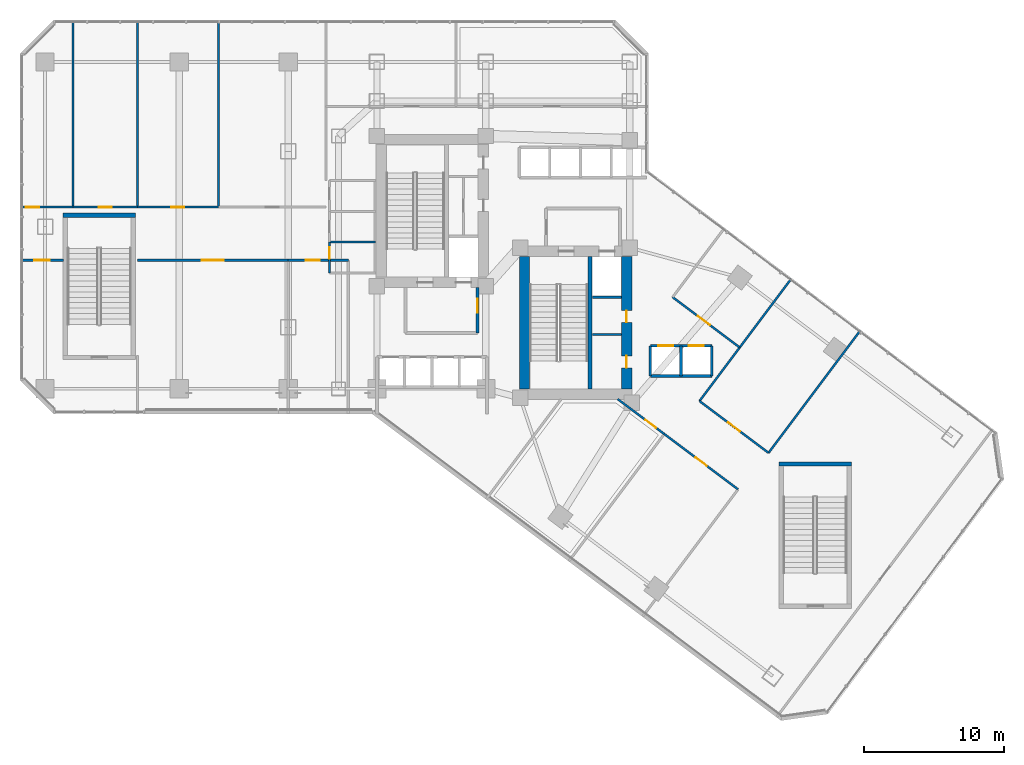
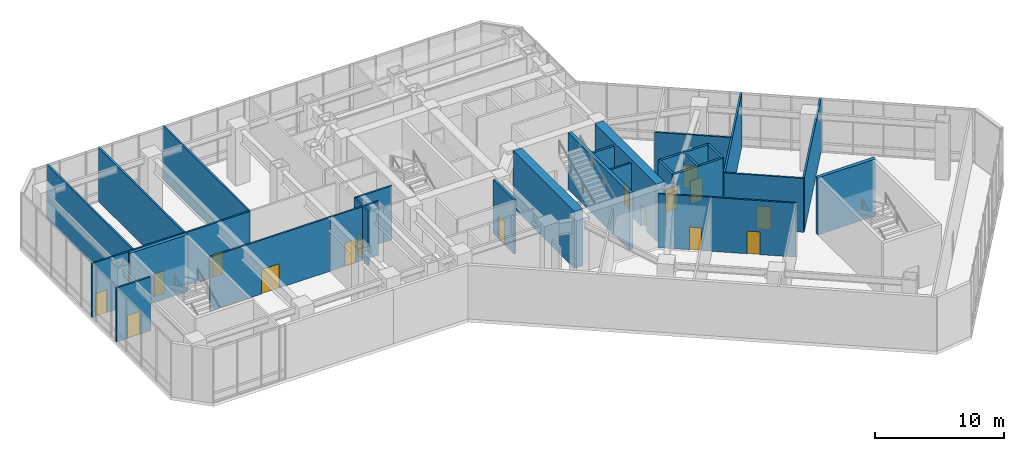
# One storey, part 28 of 35: 30 walls, 16 doors, 16 openings.
"""IFC4 building model written with IfcOpenShell, lengths in metres."""

from ifc_helpers import new_model, si_unit, direction, frame, frame_2d, origin, place, context, subcontext, project, spatial, rectangle, extrude, material, layer, layer_set, type_object, element, fill, save


model = new_model("IFC4")

# Units and contexts
model_context = context("Model", 3, precision=1e-05, world=origin(), true_north=direction((0.0, 1.0)))
body_context = subcontext(model_context, "Body", "Model", "MODEL_VIEW")
ifc_project = project(units=[si_unit("LENGTHUNIT", "METRE"), si_unit("AREAUNIT", "SQUARE_METRE"), si_unit("VOLUMEUNIT", "CUBIC_METRE"), si_unit("PLANEANGLEUNIT", "RADIAN"), si_unit("MASSUNIT", "GRAM", prefix="KILO")], contexts=[model_context])

# Site, building, storey
site_placement = place(None, origin())
site = spatial("IfcSite", under=ifc_project, at=site_placement, CompositionType="ELEMENT")
building_placement = place(site_placement, origin())
building = spatial("IfcBuilding", under=site, at=building_placement, Name="Hatsunagi Terrace Concourse", CompositionType="ELEMENT")
storey_placement = place(building_placement, frame((0.0, 0.0, 16.199951171875)))
storey = spatial("IfcBuildingStorey", under=building, at=storey_placement, Name="L04", CompositionType="ELEMENT", Elevation=16.199951171875)

# Wall
ifc_material_1 = material(Name="Concrete Fc60", Category="concrete")
ifc_layer_1 = layer(ifc_material_1, 0.75)
ifc_layer_set_1 = layer_set([ifc_layer_1], Name="CoreShearWall_Fc60_750")
wall_type_1 = type_object("IfcWallType", Name="CoreShearWall_Fc60_750", PredefinedType="SHEAR", material=ifc_layer_set_1)
wall_1_placement = place(storey_placement, frame((36.114990234375, 25.18994140625, 0.0), z_axis=(0.0, 0.0, 1.0), x_axis=(0.0, 1.0, 0.0)))
element("IfcWall", 1, at=wall_1_placement, inside=storey, type_object=wall_type_1, Name="Core B Shear Wall W L04", PredefinedType="SHEAR", context=body_context, shape_type="SweptSolid", body=[
    extrude(rectangle(XDim=9.47998046875, YDim=0.75, at=frame_2d((4.739990234375, 0.0))), origin(), (0.0, 0.0, 1.0), 5.400146484375),
])

# Wall, openings, doors
wall_2_placement = place(storey_placement, frame((43.425048828125, 25.18994140625, 0.0), z_axis=(0.0, 0.0, 1.0), x_axis=(0.0, 1.0, 0.0)))
wall_2 = element("IfcWall", 2, at=wall_2_placement, inside=storey, type_object=wall_type_1, Name="Core B Shear Wall E L04", PredefinedType="SHEAR", context=body_context, shape_type="SweptSolid", body=[
    extrude(rectangle(XDim=9.47998046875, YDim=0.75, at=frame_2d((4.739990234375, 0.0))), origin(), (0.0, 0.0, 1.0), 5.400146484375),
])
opening_1_placement = place(wall_2_placement, frame((1.510009765625, 0.0, 0.0)))
opening_1 = element("IfcOpeningElement", 3, at=opening_1_placement, cuts=wall_2, Name="Opening DR-085", PredefinedType="OPENING", context=body_context, shape_type="SweptSolid", body=[
    extrude(rectangle(XDim=0.85009765625, YDim=2.080078125, at=frame_2d((0.425048828125, 1.0400390625))), frame((0.0, 0.385009765625, 0.0), z_axis=(0.0, -1.0, 0.0), x_axis=(1.0, 0.0, 0.0)), (0.0, 0.0, 1.0), 0.77001953125),
])
opening_2_placement = place(wall_2_placement, frame((4.760009765625, 0.0, 0.0)))
opening_2 = element("IfcOpeningElement", 4, at=opening_2_placement, cuts=wall_2, Name="Opening DR-085", PredefinedType="OPENING", context=body_context, shape_type="SweptSolid", body=[
    extrude(rectangle(XDim=0.85009765625, YDim=2.080078125, at=frame_2d((0.425048828125, 1.0400390625))), frame((0.0, 0.385009765625, 0.0), z_axis=(0.0, -1.0, 0.0), x_axis=(1.0, 0.0, 0.0)), (0.0, 0.0, 1.0), 0.77001953125),
])
ifc_material_2 = material(Name="Painted steel", Category="steel")
door_type_1 = type_object("IfcDoorType", Name="RiserAccessDoor_EI60_850", OperationType="NOTDEFINED", PredefinedType="DOOR", material=ifc_material_2)
door_1_placement = place(opening_1_placement, origin())
door_1 = element("IfcDoor", 5, at=door_1_placement, inside=storey, type_object=door_type_1, Name="Core B Riser Door L04-1", OperationType="SINGLE_SWING_RIGHT", OverallHeight=2.080078125, OverallWidth=0.85009765625, PredefinedType="DOOR", context=body_context, shape_type="SweptSolid", body=[
    extrude(rectangle(XDim=0.85009765625, YDim=2.080078125, at=frame_2d((0.425048828125, 1.0400390625))), frame((0.0, 0.02490234375, 0.0), z_axis=(0.0, -1.0, 0.0), x_axis=(1.0, 0.0, 0.0)), (0.0, 0.0, 1.0), 0.050048828125),
])
fill(opening_1, door_1)
door_2_placement = place(opening_2_placement, origin())
door_2 = element("IfcDoor", 6, at=door_2_placement, inside=storey, type_object=door_type_1, Name="Core B Riser Door L04-2", OperationType="SINGLE_SWING_RIGHT", OverallHeight=2.080078125, OverallWidth=0.85009765625, PredefinedType="DOOR", context=body_context, shape_type="SweptSolid", body=[
    extrude(rectangle(XDim=0.85009765625, YDim=2.080078125, at=frame_2d((0.425048828125, 1.0400390625))), frame((0.0, 0.02490234375, 0.0), z_axis=(0.0, -1.0, 0.0), x_axis=(1.0, 0.0, 0.0)), (0.0, 0.0, 1.0), 0.050048828125),
])
fill(opening_2, door_2)

# Walls
ifc_material_3 = material(Name="Concrete Fc48", Category="concrete")
ifc_layer_2 = layer(ifc_material_3, 0.300048828125)
ifc_layer_set_2 = layer_set([ifc_layer_2], Name="CoreStairDivider_Fc48_300")
wall_type_2 = type_object("IfcWallType", Name="CoreStairDivider_Fc48_300", PredefinedType="SHEAR", material=ifc_layer_set_2)
wall_3_placement = place(storey_placement, frame((40.81005859375, 25.18994140625, 0.0), z_axis=(0.0, 0.0, 1.0), x_axis=(0.0, 1.0, 0.0)))
element("IfcWall", 7, at=wall_3_placement, inside=storey, type_object=wall_type_2, Name="Core B Shear Wall D L04", PredefinedType="SHEAR", context=body_context, shape_type="SweptSolid", body=[
    extrude(rectangle(XDim=9.47998046875, YDim=0.300048828125, at=frame_2d((4.739990234375, 0.0))), origin(), (0.0, 0.0, 1.0), 5.400146484375),
])
for number, where, z_axis, x_axis, name in (
    (8, (3.090087890625, 37.6201171875, 0.0), (0.0, 0.0, 1.0), (1.0, 0.0, 0.0), "Podium Stair P1 Shear Wall N L04"),
    (9, (54.340087890625, 19.820068359375, 0.0), (0.0, 0.0, 1.0), (1.0, 0.0, 0.0), "Podium Stair P2 Shear Wall N L04"),
):
    element("IfcWall", number, at=place(storey_placement, frame(where, z_axis=z_axis, x_axis=x_axis)), inside=storey, type_object=wall_type_2, Name=name, PredefinedType="SHEAR", context=body_context, shape_type="SweptSolid", body=[
        extrude(rectangle(XDim=5.169921875, YDim=0.300048828125, at=frame_2d((2.5849609375, 0.0))), origin(), (0.0, 0.0, 1.0), 5.400146484375),
    ])
ifc_material_4 = material(Name="Acoustic mineral board", Category="gypsum")
ifc_layer_3 = layer(ifc_material_4, 0.14990234375)
ifc_layer_set_3 = layer_set([ifc_layer_3], Name="PartitionWall_EI60_150")
wall_type_3 = type_object("IfcWallType", Name="PartitionWall_EI60_150", PredefinedType="PARTITIONING", material=ifc_layer_set_3)
wall_4_placement = place(storey_placement, frame((40.969970703125, 29.10009765625, 0.0), z_axis=(0.0, 0.0, 1.0), x_axis=(1.0, 0.0, 0.0)))
element("IfcWall", 10, at=wall_4_placement, inside=storey, type_object=wall_type_3, Name="Interior Partition IW-L04-005", PredefinedType="PARTITIONING", context=body_context, shape_type="SweptSolid", body=[
    extrude(rectangle(XDim=2.080078125, YDim=0.14990234375, at=frame_2d((1.0400390625, 0.0))), origin(), (0.0, 0.0, 1.0), 5.10009765625),
])
wall_5_placement = place(storey_placement, frame((22.14990234375, 35.699951171875, 0.0), z_axis=(0.0, 0.0, 1.0), x_axis=(1.0, 0.0, 0.0)))
element("IfcWall", 11, at=wall_5_placement, inside=storey, type_object=wall_type_3, Name="Interior Partition IW-L04-033", PredefinedType="PARTITIONING", context=body_context, shape_type="SweptSolid", body=[
    extrude(rectangle(XDim=3.300048828125, YDim=0.14990234375, at=frame_2d((1.64990234375, 0.0))), origin(), (0.0, 0.0, 1.0), 5.10009765625),
])

# Wall, opening, door
wall_6_placement = place(storey_placement, frame((22.14990234375, 33.5, 0.0), z_axis=(0.0, 0.0, 1.0), x_axis=(0.0, 1.0, 0.0)))
wall_6 = element("IfcWall", 12, at=wall_6_placement, inside=storey, type_object=wall_type_3, Name="Interior Partition IW-L04-035", PredefinedType="PARTITIONING", context=body_context, shape_type="SweptSolid", body=[
    extrude(rectangle(XDim=2.199951171875, YDim=0.14990234375, at=frame_2d((1.10009765625, 0.0))), origin(), (0.0, 0.0, 1.0), 5.10009765625),
])
opening_3_placement = place(wall_6_placement, frame((1.02001953125, 0.0, 0.0)))
opening_3 = element("IfcOpeningElement", 13, at=opening_3_placement, cuts=wall_6, Name="Opening DR-080", PredefinedType="OPENING", context=body_context, shape_type="SweptSolid", body=[
    extrude(rectangle(XDim=0.800048828125, YDim=2.06005859375, at=frame_2d((0.39990234375, 1.030029296875))), frame((0.0, 0.0849609375, 0.0), z_axis=(0.0, -1.0, 0.0), x_axis=(1.0, 0.0, 0.0)), (0.0, 0.0, 1.0), 0.169921875),
])
ifc_material_5 = material(Name="Hardwood timber", Category="wood")
door_type_2 = type_object("IfcDoorType", Name="BathroomDoor_800", OperationType="NOTDEFINED", PredefinedType="DOOR", material=ifc_material_5)
door_3_placement = place(opening_3_placement, origin())
door_3 = element("IfcDoor", 14, at=door_3_placement, inside=storey, type_object=door_type_2, Name="Accessible WC Door L04", OperationType="SINGLE_SWING_LEFT", OverallHeight=2.06005859375, OverallWidth=0.800048828125, PredefinedType="DOOR", context=body_context, shape_type="SweptSolid", body=[
    extrude(rectangle(XDim=0.800048828125, YDim=2.06005859375, at=frame_2d((0.39990234375, 1.030029296875))), frame((0.0, 0.02490234375, 0.0), z_axis=(0.0, -1.0, 0.0), x_axis=(1.0, 0.0, 0.0)), (0.0, 0.0, 1.0), 0.050048828125),
])
fill(opening_3, door_3)

wall_7_placement = place(storey_placement, frame((0.0400390625, 38.199951171875, 0.0), z_axis=(0.0, 0.0, 1.0), x_axis=(1.0, 0.0, 0.0)))
wall_7 = element("IfcWall", 15, at=wall_7_placement, inside=storey, type_object=wall_type_3, Name="Interior Partition IW-L04-038", PredefinedType="PARTITIONING", context=body_context, shape_type="SweptSolid", body=[
    extrude(rectangle(XDim=3.760009765625, YDim=0.14990234375, at=frame_2d((1.8798828125, 0.0))), origin(), (0.0, 0.0, 1.0), 5.10009765625),
])
opening_4_placement = place(wall_7_placement, frame((0.3798828125, 0.0, 0.0)))
opening_4 = element("IfcOpeningElement", 16, at=opening_4_placement, cuts=wall_7, Name="Opening DR-095", PredefinedType="OPENING", context=body_context, shape_type="SweptSolid", body=[
    extrude(rectangle(XDim=0.949951171875, YDim=2.14990234375, at=frame_2d((0.47509765625, 1.074951171875))), frame((0.0, 0.0849609375, 0.0), z_axis=(0.0, -1.0, 0.0), x_axis=(1.0, 0.0, 0.0)), (0.0, 0.0, 1.0), 0.169921875),
])
ifc_material_6 = material(Name="Hardwood timber", Category="wood")
door_type_3 = type_object("IfcDoorType", Name="InteriorSuiteDoor_EI30_950", OperationType="NOTDEFINED", PredefinedType="DOOR", material=ifc_material_6)
door_4_placement = place(opening_4_placement, origin())
door_4 = element("IfcDoor", 17, at=door_4_placement, inside=storey, type_object=door_type_3, Name="Focus Room L04-P4N1 Door", OperationType="SINGLE_SWING_LEFT", OverallHeight=2.14990234375, OverallWidth=0.949951171875, PredefinedType="DOOR", context=body_context, shape_type="SweptSolid", body=[
    extrude(rectangle(XDim=0.949951171875, YDim=2.14990234375, at=frame_2d((0.47509765625, 1.074951171875))), frame((0.0, 0.02490234375, 0.0), z_axis=(0.0, -1.0, 0.0), x_axis=(1.0, 0.0, 0.0)), (0.0, 0.0, 1.0), 0.050048828125),
])
fill(opening_4, door_4)

# Wall
wall_8_placement = place(storey_placement, frame((3.800048828125, 38.199951171875, 0.0), z_axis=(0.0, 0.0, 1.0), x_axis=(0.0, 1.0, 0.0)))
element("IfcWall", 18, at=wall_8_placement, inside=storey, type_object=wall_type_3, Name="Interior Partition IW-L04-039", PredefinedType="PARTITIONING", context=body_context, shape_type="SweptSolid", body=[
    extrude(rectangle(XDim=13.360107421875, YDim=0.14990234375, at=frame_2d((6.68017578125, 0.0))), origin(), (0.0, 0.0, 1.0), 5.10009765625),
])

# Wall, opening, door
wall_9_placement = place(storey_placement, frame((3.800048828125, 38.199951171875, 0.0), z_axis=(0.0, 0.0, 1.0), x_axis=(1.0, 0.0, 0.0)))
wall_9 = element("IfcWall", 19, at=wall_9_placement, inside=storey, type_object=wall_type_3, Name="Interior Partition IW-L04-040", PredefinedType="PARTITIONING", context=body_context, shape_type="SweptSolid", body=[
    extrude(rectangle(XDim=4.599853515625, YDim=0.14990234375, at=frame_2d((2.2998046875, 0.0))), origin(), (0.0, 0.0, 1.0), 5.10009765625),
])
opening_5_placement = place(wall_9_placement, frame((1.824951171875, 0.0, 0.0)))
opening_5 = element("IfcOpeningElement", 20, at=opening_5_placement, cuts=wall_9, Name="Opening DR-095", PredefinedType="OPENING", context=body_context, shape_type="SweptSolid", body=[
    extrude(rectangle(XDim=0.949951171875, YDim=2.14990234375, at=frame_2d((0.47509765625, 1.074951171875))), frame((0.0, 0.0849609375, 0.0), z_axis=(0.0, -1.0, 0.0), x_axis=(1.0, 0.0, 0.0)), (0.0, 0.0, 1.0), 0.169921875),
])
door_5_placement = place(opening_5_placement, origin())
door_5 = element("IfcDoor", 21, at=door_5_placement, inside=storey, type_object=door_type_3, Name="Meeting Room L04-P4N2 Door", OperationType="SINGLE_SWING_LEFT", OverallHeight=2.14990234375, OverallWidth=0.949951171875, PredefinedType="DOOR", context=body_context, shape_type="SweptSolid", body=[
    extrude(rectangle(XDim=0.949951171875, YDim=2.14990234375, at=frame_2d((0.47509765625, 1.074951171875))), frame((0.0, 0.02490234375, 0.0), z_axis=(0.0, -1.0, 0.0), x_axis=(1.0, 0.0, 0.0)), (0.0, 0.0, 1.0), 0.050048828125),
])
fill(opening_5, door_5)

# Wall
wall_10_placement = place(storey_placement, frame((8.39990234375, 38.199951171875, 0.0), z_axis=(0.0, 0.0, 1.0), x_axis=(0.0, 1.0, 0.0)))
element("IfcWall", 22, at=wall_10_placement, inside=storey, type_object=wall_type_3, Name="Interior Partition IW-L04-041", PredefinedType="PARTITIONING", context=body_context, shape_type="SweptSolid", body=[
    extrude(rectangle(XDim=13.360107421875, YDim=0.14990234375, at=frame_2d((6.68017578125, 0.0))), origin(), (0.0, 0.0, 1.0), 5.10009765625),
])

# Wall, opening, door
wall_11_placement = place(storey_placement, frame((8.39990234375, 38.199951171875, 0.0), z_axis=(0.0, 0.0, 1.0), x_axis=(1.0, 0.0, 0.0)))
wall_11 = element("IfcWall", 23, at=wall_11_placement, inside=storey, type_object=wall_type_3, Name="Interior Partition IW-L04-042", PredefinedType="PARTITIONING", context=body_context, shape_type="SweptSolid", body=[
    extrude(rectangle(XDim=5.800048828125, YDim=0.14990234375, at=frame_2d((2.89990234375, 0.0))), origin(), (0.0, 0.0, 1.0), 5.10009765625),
])
opening_6_placement = place(wall_11_placement, frame((2.425048828125, 0.0, 0.0)))
opening_6 = element("IfcOpeningElement", 24, at=opening_6_placement, cuts=wall_11, Name="Opening DR-095", PredefinedType="OPENING", context=body_context, shape_type="SweptSolid", body=[
    extrude(rectangle(XDim=0.949951171875, YDim=2.14990234375, at=frame_2d((0.47509765625, 1.074951171875))), frame((0.0, 0.0849609375, 0.0), z_axis=(0.0, -1.0, 0.0), x_axis=(1.0, 0.0, 0.0)), (0.0, 0.0, 1.0), 0.169921875),
])
door_6_placement = place(opening_6_placement, origin())
door_6 = element("IfcDoor", 25, at=door_6_placement, inside=storey, type_object=door_type_3, Name="Boardroom L04-P4N3 Door", OperationType="SINGLE_SWING_RIGHT", OverallHeight=2.14990234375, OverallWidth=0.949951171875, PredefinedType="DOOR", context=body_context, shape_type="SweptSolid", body=[
    extrude(rectangle(XDim=0.949951171875, YDim=2.14990234375, at=frame_2d((0.47509765625, 1.074951171875))), frame((0.0, 0.02490234375, 0.0), z_axis=(0.0, -1.0, 0.0), x_axis=(1.0, 0.0, 0.0)), (0.0, 0.0, 1.0), 0.050048828125),
])
fill(opening_6, door_6)

# Wall
wall_12_placement = place(storey_placement, frame((14.199951171875, 38.199951171875, 0.0), z_axis=(0.0, 0.0, 1.0), x_axis=(0.0, 1.0, 0.0)))
element("IfcWall", 26, at=wall_12_placement, inside=storey, type_object=wall_type_3, Name="Interior Partition IW-L04-043", PredefinedType="PARTITIONING", context=body_context, shape_type="SweptSolid", body=[
    extrude(rectangle(XDim=13.360107421875, YDim=0.14990234375, at=frame_2d((6.68017578125, 0.0))), origin(), (0.0, 0.0, 1.0), 5.10009765625),
])

# Wall, opening, door
wall_13_placement = place(storey_placement, frame((0.0400390625, 34.39990234375, 0.0), z_axis=(0.0, 0.0, 1.0), x_axis=(1.0, 0.0, 0.0)))
wall_13 = element("IfcWall", 27, at=wall_13_placement, inside=storey, type_object=wall_type_3, Name="Interior Partition IW-L04-046", PredefinedType="PARTITIONING", context=body_context, shape_type="SweptSolid", body=[
    extrude(rectangle(XDim=3.070068359375, YDim=0.14990234375, at=frame_2d((1.53515625, 0.0))), origin(), (0.0, 0.0, 1.0), 5.10009765625),
])
opening_7_placement = place(wall_13_placement, frame((0.985107421875, 0.0, 0.0)))
opening_7 = element("IfcOpeningElement", 28, at=opening_7_placement, cuts=wall_13, Name="Opening DR-110W", PredefinedType="OPENING", context=body_context, shape_type="SweptSolid", body=[
    extrude(rectangle(XDim=1.10009765625, YDim=2.159912109375, at=frame_2d((0.550048828125, 1.080078125))), frame((0.0, 0.0849609375, 0.0), z_axis=(0.0, -1.0, 0.0), x_axis=(1.0, 0.0, 0.0)), (0.0, 0.0, 1.0), 0.169921875),
])
ifc_material_7 = material(Name="Hardwood timber", Category="wood")
door_type_4 = type_object("IfcDoorType", Name="SuiteWideDoor_EI30_1100", OperationType="NOTDEFINED", PredefinedType="DOOR", material=ifc_material_7)
door_7_placement = place(opening_7_placement, origin())
door_7 = element("IfcDoor", 29, at=door_7_placement, inside=storey, type_object=door_type_4, Name="Private Dining Suite L04-P4WS0 Door", OperationType="SINGLE_SWING_RIGHT", OverallHeight=2.159912109375, OverallWidth=1.10009765625, PredefinedType="DOOR", context=body_context, shape_type="SweptSolid", body=[
    extrude(rectangle(XDim=1.10009765625, YDim=2.159912109375, at=frame_2d((0.550048828125, 1.080078125))), frame((0.0, 0.02490234375, 0.0), z_axis=(0.0, -1.0, 0.0), x_axis=(1.0, 0.0, 0.0)), (0.0, 0.0, 1.0), 0.050048828125),
])
fill(opening_7, door_7)

wall_14_placement = place(storey_placement, frame((8.39990234375, 34.39990234375, 0.0), z_axis=(0.0, 0.0, 1.0), x_axis=(1.0, 0.0, 0.0)))
wall_14 = element("IfcWall", 30, at=wall_14_placement, inside=storey, type_object=wall_type_3, Name="Interior Partition IW-L04-048", PredefinedType="PARTITIONING", context=body_context, shape_type="SweptSolid", body=[
    extrude(rectangle(XDim=10.800048828125, YDim=0.14990234375, at=frame_2d((5.39990234375, 0.0))), origin(), (0.0, 0.0, 1.0), 5.10009765625),
])
opening_8_placement = place(wall_14_placement, frame((4.60009765625, 0.0, 0.0)))
opening_8 = element("IfcOpeningElement", 31, at=opening_8_placement, cuts=wall_14, Name="Opening DR-160", PredefinedType="OPENING", context=body_context, shape_type="SweptSolid", body=[
    extrude(rectangle(XDim=1.60009765625, YDim=2.300048828125, at=frame_2d((0.800048828125, 1.14990234375))), frame((0.0, 0.0849609375, 0.0), z_axis=(0.0, -1.0, 0.0), x_axis=(1.0, 0.0, 0.0)), (0.0, 0.0, 1.0), 0.169921875),
])
ifc_material_8 = material(Name="Hardwood timber", Category="wood")
door_type_5 = type_object("IfcDoorType", Name="ConferenceDoubleDoor_1600", OperationType="DOUBLE_DOOR_SINGLE_SWING", PredefinedType="DOOR", material=ifc_material_8)
door_8_placement = place(opening_8_placement, origin())
door_8 = element("IfcDoor", 32, at=door_8_placement, inside=storey, type_object=door_type_5, Name="Plenary Ballroom L04-P4BNQ2 Door", OperationType="DOUBLE_DOOR_SINGLE_SWING", OverallHeight=2.300048828125, OverallWidth=1.60009765625, PredefinedType="DOOR", context=body_context, shape_type="SweptSolid", body=[
    extrude(rectangle(XDim=1.60009765625, YDim=2.300048828125, at=frame_2d((0.800048828125, 1.14990234375))), frame((0.0, 0.02490234375, 0.0), z_axis=(0.0, -1.0, 0.0), x_axis=(1.0, 0.0, 0.0)), (0.0, 0.0, 1.0), 0.050048828125),
])
fill(opening_8, door_8)

wall_15_placement = place(storey_placement, frame((19.199951171875, 34.39990234375, 0.0), z_axis=(0.0, 0.0, 1.0), x_axis=(1.0, 0.0, 0.0)))
wall_15 = element("IfcWall", 33, at=wall_15_placement, inside=storey, type_object=wall_type_3, Name="Interior Partition IW-L04-050", PredefinedType="PARTITIONING", context=body_context, shape_type="SweptSolid", body=[
    extrude(rectangle(XDim=4.300048828125, YDim=0.14990234375, at=frame_2d((2.14990234375, 0.0))), origin(), (0.0, 0.0, 1.0), 5.10009765625),
])
opening_9_placement = place(wall_15_placement, frame((1.26904296875, 0.0, 0.0)))
opening_9 = element("IfcOpeningElement", 34, at=opening_9_placement, cuts=wall_15, Name="Opening DR-100F", PredefinedType="OPENING", context=body_context, shape_type="SweptSolid", body=[
    extrude(rectangle(XDim=1.0, YDim=2.199951171875, at=frame_2d((0.5, 1.10009765625))), frame((0.0, 0.0849609375, 0.0), z_axis=(0.0, -1.0, 0.0), x_axis=(1.0, 0.0, 0.0)), (0.0, 0.0, 1.0), 0.169921875),
])
ifc_material_9 = material(Name="Painted steel", Category="steel")
door_type_6 = type_object("IfcDoorType", Name="FireDoor_EI60_1000", OperationType="NOTDEFINED", PredefinedType="DOOR", material=ifc_material_9)
door_9_placement = place(opening_9_placement, origin())
door_9 = element("IfcDoor", 35, at=door_9_placement, inside=storey, type_object=door_type_6, Name="Catering Pantry L04-P4BNQ3 Door", OperationType="SINGLE_SWING_LEFT", OverallHeight=2.199951171875, OverallWidth=1.0, PredefinedType="DOOR", context=body_context, shape_type="SweptSolid", body=[
    extrude(rectangle(XDim=1.0, YDim=2.199951171875, at=frame_2d((0.5, 1.10009765625))), frame((0.0, 0.02490234375, 0.0), z_axis=(0.0, -1.0, 0.0), x_axis=(1.0, 0.0, 0.0)), (0.0, 0.0, 1.0), 0.050048828125),
])
fill(opening_9, door_9)

wall_16_placement = place(storey_placement, frame((48.639892578125, 24.320068359375, 0.0), z_axis=(0.0, 0.0, 1.0), x_axis=(0.80000474051, -0.599993679268, 0.0)))
wall_16 = element("IfcWall", 36, at=wall_16_placement, inside=storey, type_object=wall_type_3, Name="Interior Partition IW-L04-055", PredefinedType="PARTITIONING", context=body_context, shape_type="SweptSolid", body=[
    extrude(rectangle(XDim=6.18017578125, YDim=0.14990234375, at=frame_2d((3.090087890625, 0.0))), origin(), (0.0, 0.0, 1.0), 5.10009765625),
])
opening_10_placement = place(wall_16_placement, frame((2.5400390625, 0.0, 0.0)))
opening_10 = element("IfcOpeningElement", 37, at=opening_10_placement, cuts=wall_16, Name="Opening DR-110W", PredefinedType="OPENING", context=body_context, shape_type="SweptSolid", body=[
    extrude(rectangle(XDim=1.10009765625, YDim=2.159912109375, at=frame_2d((0.550048828125, 1.080078125))), frame((0.0, 0.0849609375, 0.0), z_axis=(0.0, -1.0, 0.0), x_axis=(1.0, 0.0, 0.0)), (0.0, 0.0, 1.0), 0.169921875),
])
door_10_placement = place(opening_10_placement, origin())
door_10 = element("IfcDoor", 38, at=door_10_placement, inside=storey, type_object=door_type_4, Name="Banquet Dining Room L04-P4BALL Door", OperationType="SINGLE_SWING_LEFT", OverallHeight=2.159912109375, OverallWidth=1.10009765625, PredefinedType="DOOR", context=body_context, shape_type="SweptSolid", body=[
    extrude(rectangle(XDim=1.10009765625, YDim=2.159912109375, at=frame_2d((0.550048828125, 1.080078125))), frame((0.0, 0.02490234375, 0.0), z_axis=(0.0, -1.0, 0.0), x_axis=(1.0, 0.0, 0.0)), (0.0, 0.0, 1.0), 0.050048828125),
])
fill(opening_10, door_10)

# Walls
wall_17_placement = place(storey_placement, frame((48.639892578125, 24.320068359375, 0.0), z_axis=(0.0, 0.0, 1.0), x_axis=(0.600017820398, 0.799986634391, 0.0)))
element("IfcWall", 39, at=wall_17_placement, inside=storey, type_object=wall_type_3, Name="Interior Partition IW-L04-056", PredefinedType="PARTITIONING", context=body_context, shape_type="SweptSolid", body=[
    extrude(rectangle(XDim=10.9599609375, YDim=0.14990234375, at=frame_2d((5.47998046875, 0.0))), origin(), (0.0, 0.0, 1.0), 5.10009765625),
])
wall_18_placement = place(storey_placement, frame((53.583984375, 20.612060546875, 0.0), z_axis=(0.0, 0.0, 1.0), x_axis=(0.600003564151, 0.799997326874, 0.0)))
element("IfcWall", 40, at=wall_18_placement, inside=storey, type_object=wall_type_3, Name="Interior Partition IW-L04-057", PredefinedType="PARTITIONING", context=body_context, shape_type="SweptSolid", body=[
    extrude(rectangle(XDim=10.959716796875, YDim=0.14990234375, at=frame_2d((5.47998046875, 0.0))), origin(), (0.0, 0.0, 1.0), 5.10009765625),
])

# Wall, opening, door
wall_19_placement = place(storey_placement, frame((46.1201171875, 21.9599609375, 0.0), z_axis=(0.0, 0.0, 1.0), x_axis=(0.799991121809, -0.600011837406, 0.0)))
wall_19 = element("IfcWall", 41, at=wall_19_placement, inside=storey, type_object=wall_type_3, Name="Interior Partition IW-L04-058", PredefinedType="PARTITIONING", context=body_context, shape_type="SweptSolid", body=[
    extrude(rectangle(XDim=6.599853515625, YDim=0.14990234375, at=frame_2d((3.2998046875, 0.0))), origin(), (0.0, 0.0, 1.0), 5.10009765625),
])
opening_11_placement = place(wall_19_placement, frame((2.800048828125, 0.0, 0.0)))
opening_11 = element("IfcOpeningElement", 42, at=opening_11_placement, cuts=wall_19, Name="Opening DR-100S", PredefinedType="OPENING", context=body_context, shape_type="SweptSolid", body=[
    extrude(rectangle(XDim=1.0, YDim=2.14990234375, at=frame_2d((0.5, 1.074951171875))), frame((0.0, 0.0849609375, 0.0), z_axis=(0.0, -1.0, 0.0), x_axis=(1.0, 0.0, 0.0)), (0.0, 0.0, 1.0), 0.169921875),
])
ifc_material_10 = material(Name="Hardwood timber", Category="wood")
door_type_7 = type_object("IfcDoorType", Name="SuiteDoor_EI30_1000", OperationType="NOTDEFINED", PredefinedType="DOOR", material=ifc_material_10)
door_11_placement = place(opening_11_placement, origin())
door_11 = element("IfcDoor", 43, at=door_11_placement, inside=storey, type_object=door_type_7, Name="VIP Lounge L04-P4SW1 Door", OperationType="SINGLE_SWING_RIGHT", OverallHeight=2.14990234375, OverallWidth=1.0, PredefinedType="DOOR", context=body_context, shape_type="SweptSolid", body=[
    extrude(rectangle(XDim=1.0, YDim=2.14990234375, at=frame_2d((0.5, 1.074951171875))), frame((0.0, 0.02490234375, 0.0), z_axis=(0.0, -1.0, 0.0), x_axis=(1.0, 0.0, 0.0)), (0.0, 0.0, 1.0), 0.050048828125),
])
fill(opening_11, door_11)

wall_20_placement = place(storey_placement, frame((46.719970703125, 31.760009765625, 0.0), z_axis=(0.0, 0.0, 1.0), x_axis=(0.79999511724, -0.600006510291, 0.0)))
wall_20 = element("IfcWall", 44, at=wall_20_placement, inside=storey, type_object=wall_type_3, Name="Interior Partition IW-L04-062", PredefinedType="PARTITIONING", context=body_context, shape_type="SweptSolid", body=[
    extrude(rectangle(XDim=6.0, YDim=0.14990234375, at=frame_2d((3.0, 0.0))), origin(), (0.0, 0.0, 1.0), 5.10009765625),
])
opening_12_placement = place(wall_20_placement, frame((2.242919921875, 0.0, 0.0)))
opening_12 = element("IfcOpeningElement", 45, at=opening_12_placement, cuts=wall_20, Name="Opening DR-110W", PredefinedType="OPENING", context=body_context, shape_type="SweptSolid", body=[
    extrude(rectangle(XDim=1.10009765625, YDim=2.159912109375, at=frame_2d((0.550048828125, 1.080078125))), frame((0.0, 0.0849609375, 0.0), z_axis=(0.0, -1.0, 0.0), x_axis=(1.0, 0.0, 0.0)), (0.0, 0.0, 1.0), 0.169921875),
])
door_12_placement = place(opening_12_placement, origin())
door_12 = element("IfcDoor", 46, at=door_12_placement, inside=storey, type_object=door_type_4, Name="Delegate Pre-Function Lounge L04-PREG4 Door", OperationType="SINGLE_SWING_RIGHT", OverallHeight=2.159912109375, OverallWidth=1.10009765625, PredefinedType="DOOR", context=body_context, shape_type="SweptSolid", body=[
    extrude(rectangle(XDim=1.10009765625, YDim=2.159912109375, at=frame_2d((0.550048828125, 1.080078125))), frame((0.0, 0.02490234375, 0.0), z_axis=(0.0, -1.0, 0.0), x_axis=(1.0, 0.0, 0.0)), (0.0, 0.0, 1.0), 0.050048828125),
])
fill(opening_12, door_12)

wall_21_placement = place(storey_placement, frame((42.787109375, 24.4599609375, 0.0), z_axis=(0.0, 0.0, 1.0), x_axis=(0.799971872363, -0.600037501685, 0.0)))
wall_21 = element("IfcWall", 47, at=wall_21_placement, inside=storey, type_object=wall_type_3, Name="Interior Partition IW-L04-064", PredefinedType="PARTITIONING", context=body_context, shape_type="SweptSolid", body=[
    extrude(rectangle(XDim=4.16650390625, YDim=0.14990234375, at=frame_2d((2.083251953125, 0.0))), origin(), (0.0, 0.0, 1.0), 5.10009765625),
])
opening_13_placement = place(wall_21_placement, frame((2.468017578125, 0.0, 0.0)))
opening_13 = element("IfcOpeningElement", 48, at=opening_13_placement, cuts=wall_21, Name="Opening DR-095", PredefinedType="OPENING", context=body_context, shape_type="SweptSolid", body=[
    extrude(rectangle(XDim=0.949951171875, YDim=2.14990234375, at=frame_2d((0.47509765625, 1.074951171875))), frame((0.0, 0.0849609375, 0.0), z_axis=(0.0, -1.0, 0.0), x_axis=(1.0, 0.0, 0.0)), (0.0, 0.0, 1.0), 0.169921875),
])
door_13_placement = place(opening_13_placement, origin())
door_13 = element("IfcDoor", 49, at=door_13_placement, inside=storey, type_object=door_type_3, Name="Press Briefing Room L04-PSW4 Door", OperationType="SINGLE_SWING_RIGHT", OverallHeight=2.14990234375, OverallWidth=0.949951171875, PredefinedType="DOOR", context=body_context, shape_type="SweptSolid", body=[
    extrude(rectangle(XDim=0.949951171875, YDim=2.14990234375, at=frame_2d((0.47509765625, 1.074951171875))), frame((0.0, 0.02490234375, 0.0), z_axis=(0.0, -1.0, 0.0), x_axis=(1.0, 0.0, 0.0)), (0.0, 0.0, 1.0), 0.050048828125),
])
fill(opening_13, door_13)

# Wall
ifc_material_11 = material(Name="Acoustic mineral board", Category="gypsum")
ifc_layer_4 = layer(ifc_material_11, 0.199951171875)
ifc_layer_set_4 = layer_set([ifc_layer_4], Name="ShaftWall_EI120_200")
wall_type_4 = type_object("IfcWallType", Name="ShaftWall_EI120_200", PredefinedType="STANDARD", material=ifc_layer_set_4)
wall_22_placement = place(storey_placement, frame((40.969970703125, 31.760009765625, 0.0), z_axis=(0.0, 0.0, 1.0), x_axis=(1.0, 0.0, 0.0)))
element("IfcWall", 50, at=wall_22_placement, inside=storey, type_object=wall_type_4, Name="Interior Partition IW-L04-004", PredefinedType="STANDARD", context=body_context, shape_type="SweptSolid", body=[
    extrude(rectangle(XDim=2.080078125, YDim=0.199951171875, at=frame_2d((1.0400390625, 0.0))), origin(), (0.0, 0.0, 1.0), 5.10009765625),
])

# Wall, opening, door
wall_23_placement = place(storey_placement, frame((32.75, 29.199951171875, 0.0), z_axis=(0.0, 0.0, 1.0), x_axis=(0.0, 1.0, 0.0)))
wall_23 = element("IfcWall", 51, at=wall_23_placement, inside=storey, type_object=wall_type_4, Name="Interior Partition IW-L04-008", PredefinedType="STANDARD", context=body_context, shape_type="SweptSolid", body=[
    extrude(rectangle(XDim=3.239990234375, YDim=0.199951171875, at=frame_2d((1.6201171875, 0.0))), origin(), (0.0, 0.0, 1.0), 5.10009765625),
])
opening_14_placement = place(wall_23_placement, frame((1.449951171875, 0.0, 0.0)))
opening_14 = element("IfcOpeningElement", 52, at=opening_14_placement, cuts=wall_23, Name="Opening DR-100F", PredefinedType="OPENING", context=body_context, shape_type="SweptSolid", body=[
    extrude(rectangle(XDim=1.0, YDim=2.199951171875, at=frame_2d((0.5, 1.10009765625))), frame((0.0, 0.10986328125, 0.0), z_axis=(0.0, -1.0, 0.0), x_axis=(1.0, 0.0, 0.0)), (0.0, 0.0, 1.0), 0.219970703125),
])
door_14_placement = place(opening_14_placement, origin())
door_14 = element("IfcDoor", 53, at=door_14_placement, inside=storey, type_object=door_type_6, Name="Firefighting Lobby A Door L04", OperationType="SINGLE_SWING_RIGHT", OverallHeight=2.199951171875, OverallWidth=1.0, PredefinedType="DOOR", context=body_context, shape_type="SweptSolid", body=[
    extrude(rectangle(XDim=1.0, YDim=2.199951171875, at=frame_2d((0.5, 1.10009765625))), frame((0.0, 0.02490234375, 0.0), z_axis=(0.0, -1.0, 0.0), x_axis=(1.0, 0.0, 0.0)), (0.0, 0.0, 1.0), 0.050048828125),
])
fill(opening_14, door_14)

# Walls
wall_24_placement = place(storey_placement, frame((45.1201171875, 26.1201171875, 0.0), z_axis=(0.0, 0.0, 1.0), x_axis=(1.0, 0.0, 0.0)))
element("IfcWall", 54, at=wall_24_placement, inside=storey, type_object=wall_type_4, Name="Interior Partition IW-L04-025", PredefinedType="STANDARD", context=body_context, shape_type="SweptSolid", body=[
    extrude(rectangle(XDim=4.39990234375, YDim=0.199951171875, at=frame_2d((2.199951171875, 0.0))), origin(), (0.0, 0.0, 1.0), 5.10009765625),
])
for number, where, z_axis, x_axis, name in (
    (55, (45.1201171875, 26.1201171875, 0.0), (0.0, 0.0, 1.0), (0.0, 1.0, 0.0), "Interior Partition IW-L04-026"),
    (56, (49.52001953125, 26.1201171875, 0.0), (0.0, 0.0, 1.0), (0.0, 1.0, 0.0), "Interior Partition IW-L04-027"),
    (57, (47.320068359375, 26.1201171875, 0.0), (0.0, 0.0, 1.0), (0.0, 1.0, 0.0), "Interior Partition IW-L04-028"),
):
    element("IfcWall", number, at=place(storey_placement, frame(where, z_axis=z_axis, x_axis=x_axis)), inside=storey, type_object=wall_type_4, Name=name, PredefinedType="STANDARD", context=body_context, shape_type="SweptSolid", body=[
        extrude(rectangle(XDim=2.159912109375, YDim=0.199951171875, at=frame_2d((1.080078125, 0.0))), origin(), (0.0, 0.0, 1.0), 5.10009765625),
    ])

# Wall, openings, doors
wall_25_placement = place(storey_placement, frame((45.1201171875, 28.280029296875, 0.0), z_axis=(0.0, 0.0, 1.0), x_axis=(1.0, 0.0, 0.0)))
wall_25 = element("IfcWall", 58, at=wall_25_placement, inside=storey, type_object=wall_type_4, Name="Interior Partition IW-L04-029", PredefinedType="STANDARD", context=body_context, shape_type="SweptSolid", body=[
    extrude(rectangle(XDim=4.39990234375, YDim=0.199951171875, at=frame_2d((2.199951171875, 0.0))), origin(), (0.0, 0.0, 1.0), 5.10009765625),
])
opening_15_placement = place(wall_25_placement, frame((0.56005859375, 0.0, 0.0)))
opening_15 = element("IfcOpeningElement", 59, at=opening_15_placement, cuts=wall_25, Name="Opening LD-03", PredefinedType="OPENING", context=body_context, shape_type="SweptSolid", body=[
    extrude(rectangle(XDim=1.080078125, YDim=2.14990234375, at=frame_2d((0.5400390625, 1.074951171875))), frame((0.0, 0.10986328125, 0.0), z_axis=(0.0, -1.0, 0.0), x_axis=(1.0, 0.0, 0.0)), (0.0, 0.0, 1.0), 0.219970703125),
])
opening_16_placement = place(wall_25_placement, frame((2.760009765625, 0.0, 0.0)))
opening_16 = element("IfcOpeningElement", 60, at=opening_16_placement, cuts=wall_25, Name="Opening LD-03", PredefinedType="OPENING", context=body_context, shape_type="SweptSolid", body=[
    extrude(rectangle(XDim=1.080078125, YDim=2.14990234375, at=frame_2d((0.5400390625, 1.074951171875))), frame((0.0, 0.10986328125, 0.0), z_axis=(0.0, -1.0, 0.0), x_axis=(1.0, 0.0, 0.0)), (0.0, 0.0, 1.0), 0.219970703125),
])
ifc_material_12 = material(Name="Stainless steel", Category="steel")
door_type_8 = type_object("IfcDoorType", Name="LiftLandingDoor_LD03", OperationType="SLIDING_TO_LEFT", PredefinedType="USERDEFINED", material=ifc_material_12)
door_15_placement = place(opening_15_placement, origin())
door_15 = element("IfcDoor", 61, at=door_15_placement, inside=storey, type_object=door_type_8, Name="Lift landing door PL-09 L04", ObjectType="SLIDING_LANDING_DOOR", OperationType="SLIDING_TO_LEFT", OverallHeight=2.14990234375, OverallWidth=1.080078125, PredefinedType="USERDEFINED", context=body_context, shape_type="SweptSolid", body=[
    extrude(rectangle(XDim=1.080078125, YDim=2.14990234375, at=frame_2d((0.5400390625, 1.074951171875))), frame((0.0, 0.02490234375, 0.0), z_axis=(0.0, -1.0, 0.0), x_axis=(1.0, 0.0, 0.0)), (0.0, 0.0, 1.0), 0.050048828125),
])
fill(opening_15, door_15)
door_16_placement = place(opening_16_placement, origin())
door_16 = element("IfcDoor", 62, at=door_16_placement, inside=storey, type_object=door_type_8, Name="Lift landing door PL-10 L04", ObjectType="SLIDING_LANDING_DOOR", OperationType="SLIDING_TO_LEFT", OverallHeight=2.14990234375, OverallWidth=1.080078125, PredefinedType="USERDEFINED", context=body_context, shape_type="SweptSolid", body=[
    extrude(rectangle(XDim=1.080078125, YDim=2.14990234375, at=frame_2d((0.5400390625, 1.074951171875))), frame((0.0, 0.02490234375, 0.0), z_axis=(0.0, -1.0, 0.0), x_axis=(1.0, 0.0, 0.0)), (0.0, 0.0, 1.0), 0.050048828125),
])
fill(opening_16, door_16)

save(model, "model.ifc")
